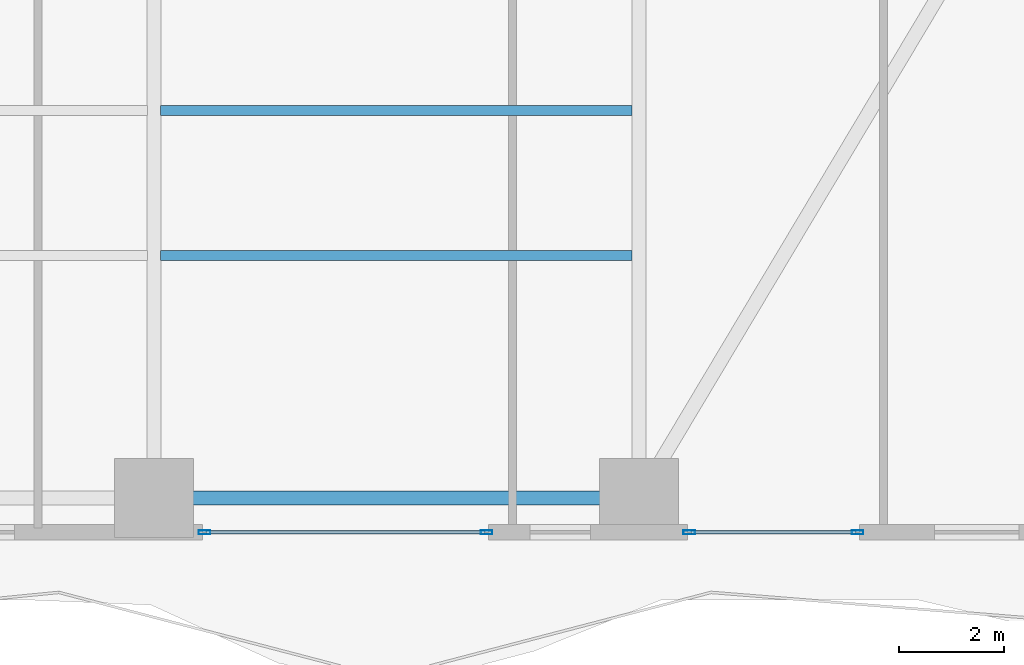
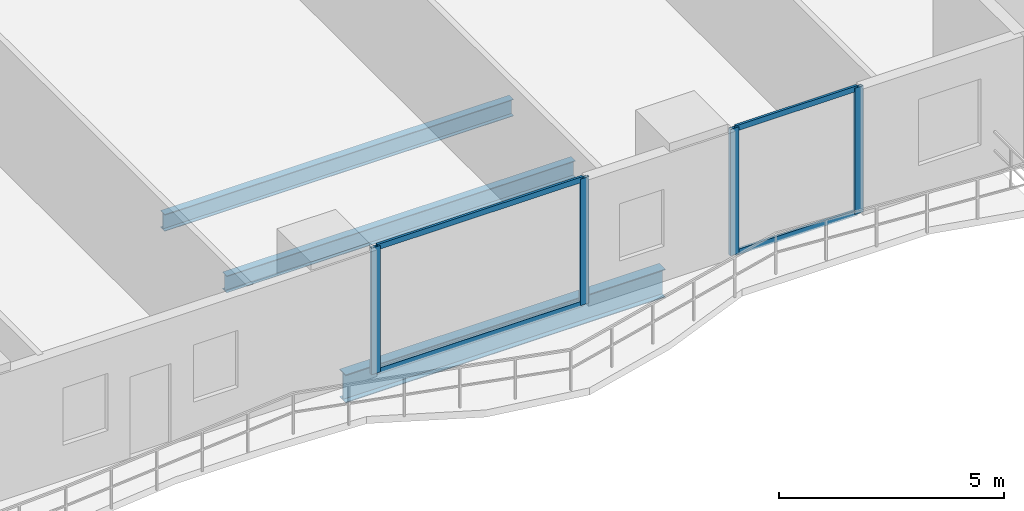
# One storey, part 8 of 29: 8 members, 3 beams, 2 elements without a shape of their own.
"""IFC4 building model written with IfcOpenShell, lengths in metres."""

from ifc_helpers import new_model, si_unit, direction, frame, origin, origin_2d, place, context, subcontext, project, spatial, hollow_rectangle, i_section, extrude, material, layer, layer_set, material_profile, profile_set, type_object, element, aggregate, save


model = new_model("IFC4")

# Units and contexts
model_context = context("Model", 3, precision=1e-05, world=origin(), true_north=direction((0.0, 1.0)))
body_context = subcontext(model_context, "Body", "Model", "MODEL_VIEW")
ifc_project = project(units=[si_unit("LENGTHUNIT", "METRE"), si_unit("AREAUNIT", "SQUARE_METRE"), si_unit("VOLUMEUNIT", "CUBIC_METRE"), si_unit("PLANEANGLEUNIT", "RADIAN"), si_unit("MASSUNIT", "GRAM", prefix="KILO")], contexts=[model_context])

# Site, building, storey
site_placement = place(None, origin())
site = spatial("IfcSite", under=ifc_project, at=site_placement, CompositionType="ELEMENT")
building_placement = place(site_placement, origin())
building = spatial("IfcBuilding", under=site, at=building_placement, Name="Zuhayl Quay Hotel", CompositionType="ELEMENT")
storey_placement = place(building_placement, frame((0.0, 0.0, 42.199951171875)))
storey = spatial("IfcBuildingStorey", under=building, at=storey_placement, Name="L09", CompositionType="ELEMENT", Elevation=42.199951171875)

# Beams
ifc_material_1 = material(Name="Steel ASTM A992 Grade 50", Category="steel")
ifc_material_profile_1 = material_profile(ifc_material_1, i_section(OverallWidth=0.26708984375, OverallDepth=0.761962890625, WebThickness=0.014404296875, FlangeThickness=0.021484375, at=origin_2d()), Name="W30X116")
ifc_profile_set_1 = profile_set([ifc_material_profile_1], Name="Steel ASTM A992 Grade 50")
beam_type_1 = type_object("IfcBeamType", Name="BM_B1_W30X116", PredefinedType="BEAM", material=ifc_profile_set_1)
beam_placement = place(storey_placement, frame((5.10009765625, -22.449951171875, -0.600830078125), z_axis=(1.0, 0.0, 0.0), x_axis=(0.0, 1.0, 0.0)))
element("IfcBeam", 1, at=beam_placement, inside=storey, type_object=beam_type_1, Name="L09 Floor Beam RG_L09_03", PredefinedType="BEAM", context=body_context, shape_type="SweptSolid", body=[
    extrude(i_section(OverallWidth=0.26708984375, OverallDepth=0.761962890625, WebThickness=0.014404296875, FlangeThickness=0.021484375, at=origin_2d()), origin(), (0.0, 0.0, 1.0), 8.199951171875),
])
ifc_material_profile_2 = material_profile(ifc_material_1, i_section(OverallWidth=0.18994140625, OverallDepth=0.45703125, WebThickness=0.009033203125, FlangeThickness=0.014404296875, at=origin_2d()), Name="W18X50")
ifc_profile_set_2 = profile_set([ifc_material_profile_2], Name="Steel ASTM A992 Grade 50")
beam_type_2 = type_object("IfcBeamType", Name="BM_J2_W18X50", PredefinedType="JOIST", material=ifc_profile_set_2)
for number, where, z_axis, x_axis, name in (
    (2, (4.7255859375, -17.85009765625, -0.448486328125), (1.0, 0.0, 0.0), (0.0, 1.0, 0.0), "L09 Floor Beam FJ_L09_3_3"),
    (3, (4.7255859375, -15.10009765625, -0.448486328125), (1.0, 0.0, 0.0), (0.0, 1.0, 0.0), "L09 Floor Beam FJ_L09_4_3"),
):
    element("IfcBeam", number, at=place(storey_placement, frame(where, z_axis=z_axis, x_axis=x_axis)), inside=storey, type_object=beam_type_2, Name=name, PredefinedType="JOIST", context=body_context, shape_type="SweptSolid", body=[
        extrude(i_section(OverallWidth=0.18994140625, OverallDepth=0.45703125, WebThickness=0.009033203125, FlangeThickness=0.014404296875, at=origin_2d()), origin(), (0.0, 0.0, 1.0), 8.948974609375),
    ])

# Curtain wall, members
ifc_material_2 = material(Name="Anodised Aluminium 6063-T6", Category="aluminium")
ifc_layer = layer(ifc_material_2, 0.18994140625, Name="Anodised Aluminium 6063-T6", Category="aluminium")
ifc_layer_set = layer_set([ifc_layer], Name="Anodised Aluminium 6063-T6")
curtain_wall_type = type_object("IfcCurtainWallType", Name="CW_SYS_Z1", PredefinedType="USERDEFINED", material=ifc_layer_set)
curtain_wall_1_placement = place(storey_placement, origin())
curtain_wall_1 = element("IfcCurtainWall", 4, at=curtain_wall_1_placement, inside=storey, type_object=curtain_wall_type, Name="L09 Curtain Wall ENV_L09_S_CW1", ObjectType="UNITISED CURTAIN WALL", PredefinedType="USERDEFINED")
ifc_material_3 = material(Name="Black-anodised aluminium 6063-T6", Category="aluminium")
ifc_material_profile_3 = material_profile(ifc_material_3, hollow_rectangle(XDim=0.074951171875, YDim=0.219970703125, WallThickness=0.00390625, at=origin_2d()), Name="ALU220X75")
ifc_profile_set_3 = profile_set([ifc_material_profile_3], Name="Black-anodised aluminium 6063-T6")
member_type_1 = type_object("IfcMemberType", Name="MB_CW_MUL_220", PredefinedType="MULLION", material=ifc_profile_set_3)
member_1_placement = place(storey_placement, frame((17.952392578125, -23.10009765625, 0.0), z_axis=(0.0, 0.0, 1.0), x_axis=(0.0, -1.0, 0.0)))
member_1 = element("IfcMember", 5, at=member_1_placement, type_object=member_type_1, Name="CW-Z1 mullion 1", PredefinedType="MULLION", context=body_context, shape_type="SweptSolid", body=[
    extrude(hollow_rectangle(XDim=0.074951171875, YDim=0.219970703125, WallThickness=0.00390625, at=origin_2d()), origin(), (0.0, 0.0, 1.0), 3.429931640625),
])
member_2_placement = place(storey_placement, frame((14.757568359375, -23.10009765625, 0.0), z_axis=(0.0, 0.0, 1.0), x_axis=(0.0, -1.0, 0.0)))
member_2 = element("IfcMember", 6, at=member_2_placement, type_object=member_type_1, Name="CW-Z1 mullion 2", PredefinedType="MULLION", context=body_context, shape_type="SweptSolid", body=[
    extrude(hollow_rectangle(XDim=0.074951171875, YDim=0.219970703125, WallThickness=0.00390625, at=origin_2d()), origin(), (0.0, 0.0, 1.0), 3.429931640625),
])

curtain_wall_2_placement = place(storey_placement, origin())
curtain_wall_2 = element("IfcCurtainWall", 7, at=curtain_wall_2_placement, inside=storey, type_object=curtain_wall_type, Name="L09 Curtain Wall ENV_L09_S_CW2", ObjectType="UNITISED CURTAIN WALL", PredefinedType="USERDEFINED")
member_3_placement = place(storey_placement, frame((10.91259765625, -23.10009765625, 0.0), z_axis=(0.0, 0.0, 1.0), x_axis=(0.0, -1.0, 0.0)))
member_3 = element("IfcMember", 8, at=member_3_placement, type_object=member_type_1, Name="CW-Z1 mullion 1", PredefinedType="MULLION", context=body_context, shape_type="SweptSolid", body=[
    extrude(hollow_rectangle(XDim=0.074951171875, YDim=0.219970703125, WallThickness=0.00390625, at=origin_2d()), origin(), (0.0, 0.0, 1.0), 3.429931640625),
])
member_4_placement = place(storey_placement, frame((5.5576171875, -23.10009765625, 0.0), z_axis=(0.0, 0.0, 1.0), x_axis=(0.0, -1.0, 0.0)))
member_4 = element("IfcMember", 9, at=member_4_placement, type_object=member_type_1, Name="CW-Z1 mullion 2", PredefinedType="MULLION", context=body_context, shape_type="SweptSolid", body=[
    extrude(hollow_rectangle(XDim=0.074951171875, YDim=0.219970703125, WallThickness=0.00390625, at=origin_2d()), origin(), (0.0, 0.0, 1.0), 3.429931640625),
])

# Member
ifc_material_profile_4 = material_profile(ifc_material_3, hollow_rectangle(XDim=0.06005859375, YDim=0.14990234375, WallThickness=0.00341796875, at=origin_2d()), Name="ALU150X60")
ifc_profile_set_4 = profile_set([ifc_material_profile_4], Name="Black-anodised aluminium 6063-T6")
member_type_2 = type_object("IfcMemberType", Name="MB_CW_TRN_150", PredefinedType="USERDEFINED", material=ifc_profile_set_4)
member_5_placement = place(storey_placement, frame((17.9150390625, -23.10009765625, 0.030029296875), z_axis=(-1.0, 0.0, 0.0), x_axis=(0.0, -1.0, 0.0)))
member_5 = element("IfcMember", 10, at=member_5_placement, type_object=member_type_2, Name="CW-Z1 transom 1.1", ObjectType="TRANSOM", PredefinedType="USERDEFINED", context=body_context, shape_type="SweptSolid", body=[
    extrude(hollow_rectangle(XDim=0.06005859375, YDim=0.14990234375, WallThickness=0.00341796875, at=origin_2d()), origin(), (0.0, 0.0, 1.0), 3.1201171875),
])

member_6_placement = place(storey_placement, frame((17.9150390625, -23.10009765625, 3.400146484375), z_axis=(-1.0, 0.0, 0.0), x_axis=(0.0, -1.0, 0.0)))
member_6 = element("IfcMember", 11, at=member_6_placement, type_object=member_type_2, Name="CW-Z1 transom 1.2", ObjectType="TRANSOM", PredefinedType="USERDEFINED", context=body_context, shape_type="SweptSolid", body=[
    extrude(hollow_rectangle(XDim=0.06005859375, YDim=0.14990234375, WallThickness=0.00341796875, at=origin_2d()), origin(), (0.0, 0.0, 1.0), 3.1201171875),
])

aggregate(curtain_wall_1, [member_1, member_2, member_5, member_6])

member_7_placement = place(storey_placement, frame((10.875, -23.10009765625, 0.030029296875), z_axis=(-1.0, 0.0, 0.0), x_axis=(0.0, -1.0, 0.0)))
member_7 = element("IfcMember", 12, at=member_7_placement, type_object=member_type_2, Name="CW-Z1 transom 1.1", ObjectType="TRANSOM", PredefinedType="USERDEFINED", context=body_context, shape_type="SweptSolid", body=[
    extrude(hollow_rectangle(XDim=0.06005859375, YDim=0.14990234375, WallThickness=0.00341796875, at=origin_2d()), origin(), (0.0, 0.0, 1.0), 5.280029296875),
])

member_8_placement = place(storey_placement, frame((10.875, -23.10009765625, 3.400146484375), z_axis=(-1.0, 0.0, 0.0), x_axis=(0.0, -1.0, 0.0)))
member_8 = element("IfcMember", 13, at=member_8_placement, type_object=member_type_2, Name="CW-Z1 transom 1.2", ObjectType="TRANSOM", PredefinedType="USERDEFINED", context=body_context, shape_type="SweptSolid", body=[
    extrude(hollow_rectangle(XDim=0.06005859375, YDim=0.14990234375, WallThickness=0.00341796875, at=origin_2d()), origin(), (0.0, 0.0, 1.0), 5.280029296875),
])

aggregate(curtain_wall_2, [member_3, member_4, member_7, member_8])

save(model, "model.ifc")
